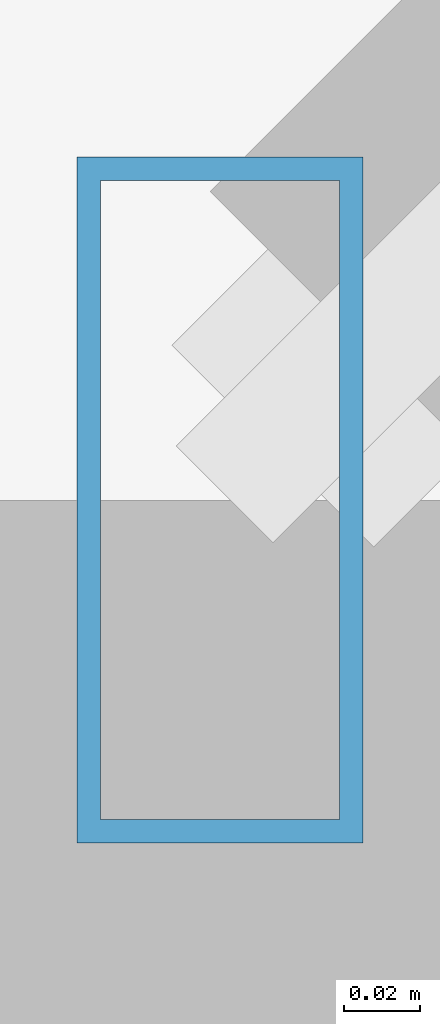
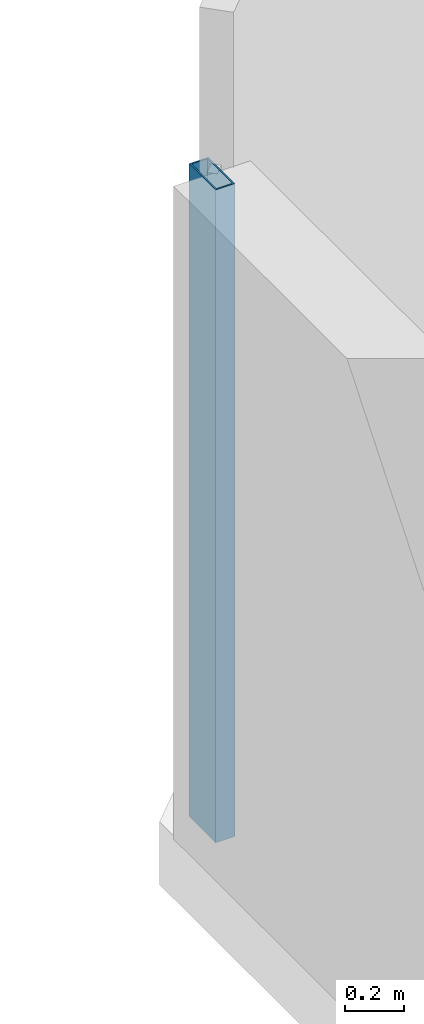
# One storey, part 13 of 34: 1 member, 1 element without a shape of its own.
"""IFC4 building model written with IfcOpenShell, lengths in metres."""

from ifc_helpers import new_model, si_unit, direction, frame, origin, origin_2d, place, context, subcontext, project, spatial, hollow_rectangle, extrude, material, material_profile, profile_set, type_object, element, aggregate, save


model = new_model("IFC4")

# Units and contexts
model_context = context("Model", 3, precision=1e-05, world=origin(), true_north=direction((0.0, 1.0)))
body_context = subcontext(model_context, "Body", "Model", "MODEL_VIEW")
ifc_project = project(units=[si_unit("LENGTHUNIT", "METRE"), si_unit("AREAUNIT", "SQUARE_METRE"), si_unit("VOLUMEUNIT", "CUBIC_METRE"), si_unit("PLANEANGLEUNIT", "RADIAN"), si_unit("MASSUNIT", "GRAM", prefix="KILO")], contexts=[model_context])

# Site, building, storey
site_placement = place(None, origin())
site = spatial("IfcSite", under=ifc_project, at=site_placement, CompositionType="ELEMENT")
building_placement = place(site_placement, origin())
building = spatial("IfcBuilding", under=site, at=building_placement, Name="Thornwick Lancets Civic Towers", CompositionType="ELEMENT")
storey_placement = place(building_placement, frame((0.0, 0.0, 258.300048828125)))
storey = spatial("IfcBuildingStorey", under=building, at=storey_placement, Name="L69", CompositionType="ELEMENT", Elevation=258.300048828125)

# Curtain wall, member
ifc_material_1 = material(Name="High-zone chamfered-corner unitised glass curtain wall", Category="glass")
curtain_wall_type = type_object("IfcCurtainWallType", Name="CW_SYS_05", PredefinedType="NOTDEFINED", material=ifc_material_1)
curtain_wall_placement = place(storey_placement, origin())
curtain_wall = element("IfcCurtainWall", 1, at=curtain_wall_placement, inside=storey, type_object=curtain_wall_type, Name="L69 Curtain Wall CW-L69-B-E5", PredefinedType="NOTDEFINED")
ifc_material_2 = material(Name="Thermally broken bronze aluminium S355", Category="steel")
ifc_material_profile = material_profile(ifc_material_2, hollow_rectangle(XDim=0.074951171875, YDim=0.179931640625, WallThickness=0.006103515625, at=origin_2d()), Name="RHS 180x75x6")
ifc_profile_set = profile_set([ifc_material_profile], Name="Thermally broken bronze aluminium S355")
member_type = type_object("IfcMemberType", Name="CW_MUL_180", PredefinedType="MULLION", material=ifc_profile_set)
member_placement = place(storey_placement, frame((70.739990234375, 46.8017578125, 0.0), z_axis=(0.0, 0.0, 1.0), x_axis=(1.0, 0.0, 0.0)))
member = element("IfcMember", 2, at=member_placement, type_object=member_type, Name="CW-L69-B-E5 Mullion 1", PredefinedType="MULLION", context=body_context, shape_type="SweptSolid", body=[
    extrude(hollow_rectangle(XDim=0.074951171875, YDim=0.179931640625, WallThickness=0.006103515625, at=origin_2d()), origin(), (0.0, 0.0, 1.0), 2.699951171875),
])
aggregate(curtain_wall, [member])

save(model, "model.ifc")
